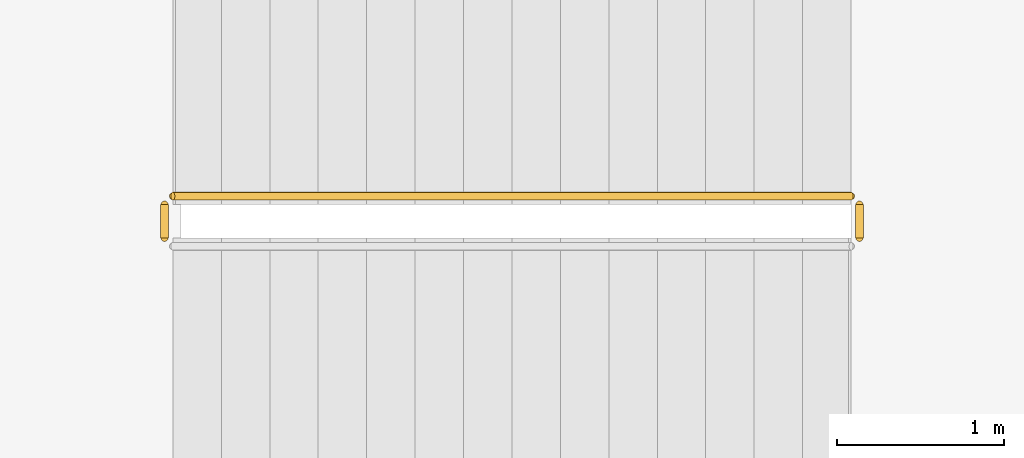
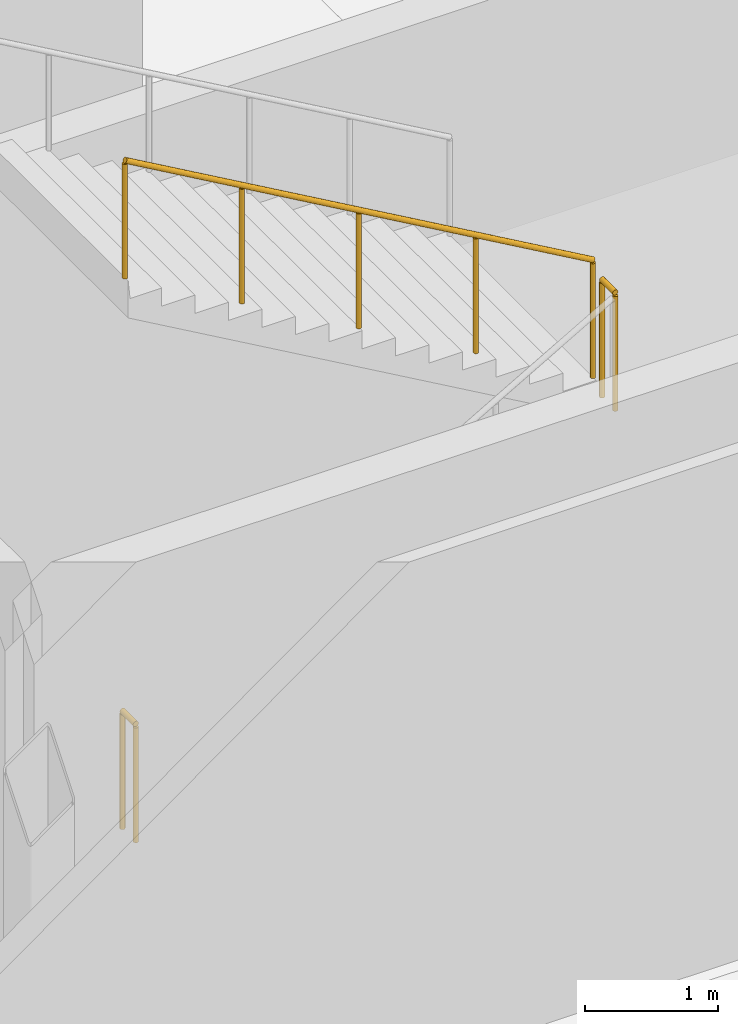
# One storey, part 68 of 81: 3 railings.
"""IFC4 building model written with IfcOpenShell, lengths in metres."""

from ifc_helpers import new_model, si_unit, direction, frame, origin, origin_2d, place, context, subcontext, project, spatial, circle, extrude, material, type_object, element, save


model = new_model("IFC4")

# Units and contexts
model_context = context("Model", 3, precision=1e-05, world=origin(), true_north=direction((0.0, 1.0)))
body_context = subcontext(model_context, "Body", "Model", "MODEL_VIEW")
ifc_project = project(units=[si_unit("LENGTHUNIT", "METRE"), si_unit("AREAUNIT", "SQUARE_METRE"), si_unit("VOLUMEUNIT", "CUBIC_METRE"), si_unit("PLANEANGLEUNIT", "RADIAN"), si_unit("MASSUNIT", "GRAM", prefix="KILO")], contexts=[model_context])

# Site, building, storey
site_placement = place(None, origin())
site = spatial("IfcSite", under=ifc_project, at=site_placement, CompositionType="ELEMENT")
building_placement = place(site_placement, origin())
building = spatial("IfcBuilding", under=site, at=building_placement, Name="Trimount Lyric Opera House", CompositionType="ELEMENT")
storey_placement = place(building_placement, frame((0.0, 0.0, 5.0)))
storey = spatial("IfcBuildingStorey", under=building, at=storey_placement, Name="L01", CompositionType="ELEMENT", Elevation=5.0)

# Railings
ifc_material = material(Name="Brushed Stainless Steel 316", Category="steel")
railing_type = type_object("IfcRailingType", Name="RL-GRD110", PredefinedType="GUARDRAIL", material=ifc_material)
railing_1_placement = place(storey_placement, frame((60.760009765625, 47.050048828125, 2.5)))
element("IfcRailing", 1, at=railing_1_placement, inside=storey, type_object=railing_type, Name="L01 ST-07 stair guard 2", PredefinedType="GUARDRAIL", context=body_context, shape_type="SweptSolid", body=[
    extrude(circle(Radius=0.02392578125, at=origin_2d()), frame((0.0, 0.0, 1.076171875), z_axis=(0.0, 1.0, 0.0), x_axis=(-1.0, 0.0, 0.0)), (0.0, 0.0, 1.0), 0.199951171875),
    extrude(circle(Radius=0.02099609375, at=origin_2d()), origin(), (0.0, 0.0, 1.0), 1.052001953125),
    extrude(circle(Radius=0.02099609375, at=origin_2d()), frame((0.0, 0.199951171875, 0.0)), (0.0, 0.0, 1.0), 1.052001953125),
])
railing_2_placement = place(storey_placement, frame((60.7099609375, 47.300048828125, 2.666748046875)))
element("IfcRailing", 2, at=railing_2_placement, inside=storey, type_object=railing_type, Name="L01 ST-07 stair guard 3", PredefinedType="GUARDRAIL", context=body_context, shape_type="SweptSolid", body=[
    extrude(circle(Radius=0.02392578125, at=origin_2d()), frame((0.0, 0.0, 1.076171875), z_axis=(-0.867024558463, 0.0, 0.498265406207), x_axis=(0.0, -1.0, 0.0)), (0.0, 0.0, 1.0), 4.682861328125),
    extrude(circle(Radius=0.02099609375, at=origin_2d()), origin(), (0.0, 0.0, 1.0), 1.052001953125),
    extrude(circle(Radius=0.02099609375, at=origin_2d()), frame((-1.01513671875, 0.0, 0.583251953125)), (0.0, 0.0, 1.0), 1.052001953125),
    extrude(circle(Radius=0.02099609375, at=origin_2d()), frame((-2.030029296875, 0.0, 1.16650390625)), (0.0, 0.0, 1.0), 1.052001953125),
    extrude(circle(Radius=0.02099609375, at=origin_2d()), frame((-3.044921875, 0.0, 1.75)), (0.0, 0.0, 1.0), 1.052001953125),
    extrude(circle(Radius=0.02099609375, at=origin_2d()), frame((-4.06005859375, 0.0, 2.333251953125)), (0.0, 0.0, 1.0), 1.052001953125),
])
railing_3_placement = place(storey_placement, frame((56.60009765625, 47.050048828125, 0.0)))
element("IfcRailing", 3, at=railing_3_placement, inside=storey, type_object=railing_type, Name="L01 ST-07 stair guard 4", PredefinedType="GUARDRAIL", context=body_context, shape_type="SweptSolid", body=[
    extrude(circle(Radius=0.02392578125, at=origin_2d()), frame((0.0, 0.0, 1.076171875), z_axis=(0.0, 1.0, 0.0), x_axis=(-1.0, 0.0, 0.0)), (0.0, 0.0, 1.0), 0.199951171875),
    extrude(circle(Radius=0.02099609375, at=origin_2d()), origin(), (0.0, 0.0, 1.0), 1.052001953125),
    extrude(circle(Radius=0.02099609375, at=origin_2d()), frame((0.0, 0.199951171875, 0.0)), (0.0, 0.0, 1.0), 1.052001953125),
])

save(model, "model.ifc")
